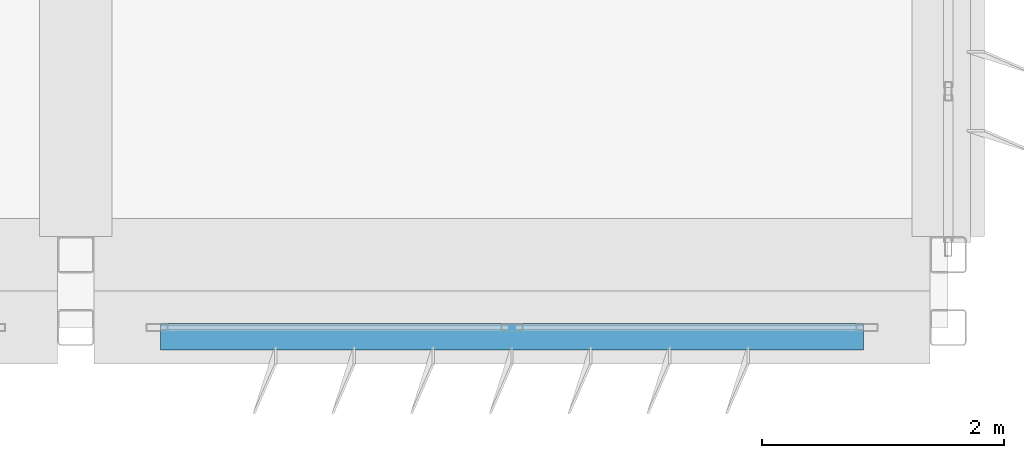
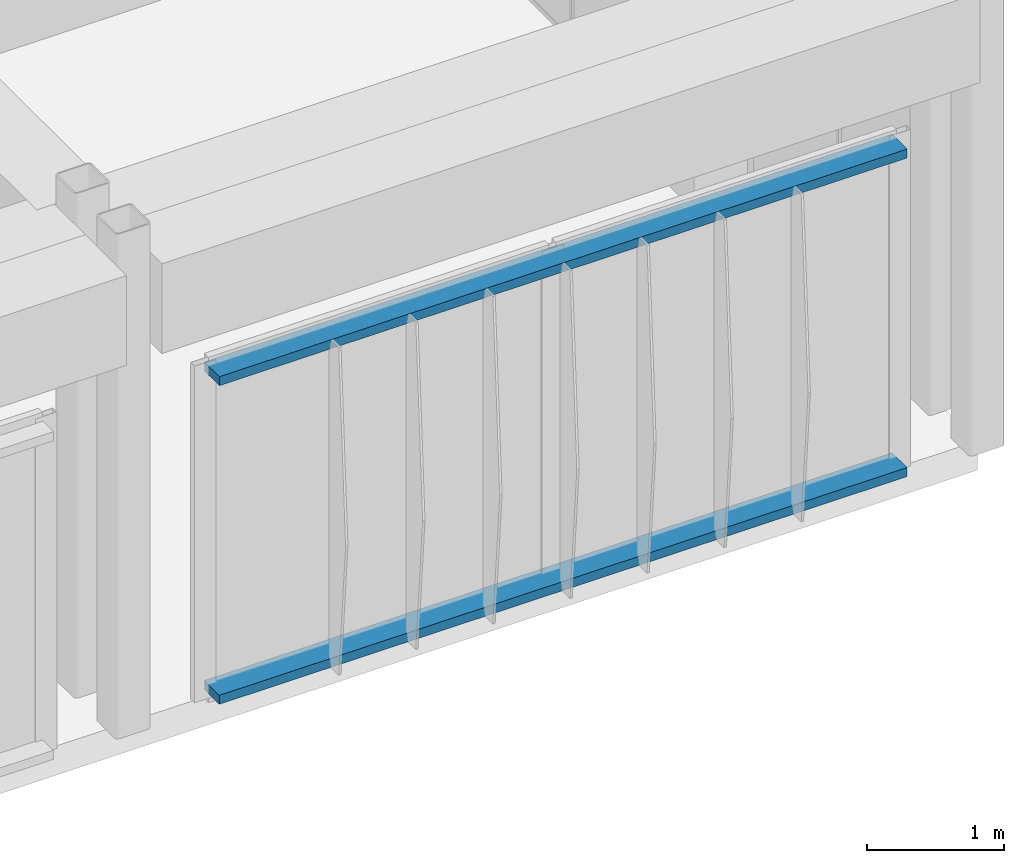
# One storey, part 43 of 56: 2 discrete accessories.
"""IFC4 building model written with IfcOpenShell, lengths in metres."""

import ifcopenshell
import ifcopenshell.guid

model = None  # the IFC model being written
_history = None  # IfcOwnerHistory: only IFC2X3 demands one
_inside = {}  # id of a spatial element -> (the spatial element, [elements in it])
_under = {}  # id of a project, library or spatial element -> (it, [spatial elements below it])
_declared = {}  # id of a project -> (the project, [libraries it declares])
_typed = {}  # id of a type object -> (the type object, [elements of that type])
_made_of = {}  # id of a material, layer set ... -> (it, [elements and type objects made of it])


def new_model(schema):
    """Start an empty IFC model of exactly this schema.

    Asked for "IFC4X3", IfcOpenShell would pick the latest addendum, in which some entities
    have other attributes; the version numbers below select the first issue.
    IFC2X3 requires an IfcOwnerHistory on every rooted entity: one is made here for all.
    """
    global model, _history
    if schema == "IFC4X3":
        model = ifcopenshell.file(schema_version=(4, 3, 0, 0))
    else:
        model = ifcopenshell.file(schema=schema)
    _inside.clear()
    _under.clear()
    _declared.clear()
    _typed.clear()
    _made_of.clear()
    _history = None
    if model.schema == "IFC2X3":
        org = make("IfcOrganization", Name="unknown")
        user = make(
            "IfcPersonAndOrganization",
            ThePerson=make("IfcPerson", FamilyName="unknown"),
            TheOrganization=org,
        )
        app = make(
            "IfcApplication",
            ApplicationDeveloper=org,
            Version="unknown",
            ApplicationFullName="unknown",
            ApplicationIdentifier="unknown",
        )
        _history = make(
            "IfcOwnerHistory",
            OwningUser=user,
            OwningApplication=app,
            ChangeAction="ADDED",
            CreationDate=0,
        )
    return model


def make(cls, **values):
    """One entity of the class cls with the attributes given. An attribute that is None is left unset."""
    return model.create_entity(
        cls, **{name: value for name, value in values.items() if value is not None}
    )


def rooted(cls, **values):
    """An entity with a GlobalId (a new one), such as an element, a storey or a relation."""
    return make(cls, GlobalId=ifcopenshell.guid.new(), OwnerHistory=_history, **values)


def si_unit(unit_type, name, prefix=None):
    """IfcSIUnit, for example si_unit("LENGTHUNIT", "METRE", prefix="MILLI")."""
    return make("IfcSIUnit", UnitType=unit_type, Prefix=prefix, Name=name)


def assignment(units):
    """IfcUnitAssignment: the units of a project."""
    return None if units is None else make("IfcUnitAssignment", Units=units)


def point(xyz):
    """IfcCartesianPoint."""
    return None if xyz is None else make("IfcCartesianPoint", Coordinates=xyz)


def direction(xyz):
    """IfcDirection."""
    return None if xyz is None else make("IfcDirection", DirectionRatios=xyz)


def frame(location, z_axis=None, x_axis=None):
    """IfcAxis2Placement3D, a coordinate frame: its origin and axes. An axis left out is left unset."""
    return make(
        "IfcAxis2Placement3D",
        Location=point(location),
        Axis=direction(z_axis),
        RefDirection=direction(x_axis),
    )


def frame_2d(location, x_axis=None):
    """IfcAxis2Placement2D, a coordinate frame in the plane: its origin and x axis."""
    return make(
        "IfcAxis2Placement2D", Location=point(location), RefDirection=direction(x_axis)
    )


def origin():
    """The frame at (0, 0, 0) with its axes left unset."""
    return frame((0.0, 0.0, 0.0))


def origin_2d():
    """The frame at (0, 0) in the plane with its x axis left unset."""
    return frame_2d((0.0, 0.0))


def place(relative_to, where):
    """IfcLocalPlacement: puts the frame where relative to a parent placement (None: the world)."""
    return make(
        "IfcLocalPlacement", PlacementRelTo=relative_to, RelativePlacement=where
    )


def context(
    kind, dimensions, precision=None, world=None, true_north=None, identifier=None
):
    """IfcGeometricRepresentationContext, for example the 3D "Model" context."""
    return make(
        "IfcGeometricRepresentationContext",
        ContextIdentifier=identifier,
        ContextType=kind,
        CoordinateSpaceDimension=dimensions,
        Precision=precision,
        WorldCoordinateSystem=world,
        TrueNorth=true_north,
    )


def subcontext(parent, identifier, kind, view, scale=None):
    """IfcGeometricRepresentationSubContext, for example "Body" below "Model"."""
    return make(
        "IfcGeometricRepresentationSubContext",
        ContextIdentifier=identifier,
        ContextType=kind,
        ParentContext=parent,
        TargetScale=scale,
        TargetView=view,
    )


def project(units=None, contexts=None):
    """IfcProject with its units and contexts."""
    return rooted(
        "IfcProject",
        Name="project",
        RepresentationContexts=contexts,
        UnitsInContext=assignment(units),
    )


def spatial(cls, under=None, at=None, **own):
    """A site, building, storey or space (cls), placed at a placement, below another one or the project."""
    s = rooted(cls, ObjectPlacement=at, **own)
    if under is not None:
        _under.setdefault(under.id(), (under, []))[1].append(s)
    return s


def profile(cls, at=None, kind="AREA", **sizes):
    """A parametric profile (cls). Its sizes go by their IFC names, for example OverallWidth=200.0."""
    return make(cls, ProfileType=kind, Position=at, **sizes)


def rectangle(**sizes):
    """IfcRectangleProfileDef."""
    return profile("IfcRectangleProfileDef", **sizes)


def extrude(swept, where, along, depth):
    """IfcExtrudedAreaSolid: the profile swept, set in the frame where, extruded along a direction by depth."""
    return make(
        "IfcExtrudedAreaSolid",
        SweptArea=swept,
        Position=where,
        ExtrudedDirection=direction(along),
        Depth=depth,
    )


def shape(context_of_items, identifier, shape_type, items):
    """IfcShapeRepresentation: the items that make up one representation, for example the "Body"."""
    return make(
        "IfcShapeRepresentation",
        ContextOfItems=context_of_items,
        RepresentationIdentifier=identifier,
        RepresentationType=shape_type,
        Items=items,
    )


def material(Name=None, Category=None):
    """IfcMaterial."""
    return make("IfcMaterial", Name=Name, Category=Category)


def made_of(thing, what):
    """Note that an element or type object is made of a material, layer set ...; save() writes the relation."""
    if what is not None:
        _made_of.setdefault(what.id(), (what, []))[1].append(thing)
    return thing


def type_object(cls, material=None, **own):
    """A type object (cls), such as IfcWallType, which elements share."""
    return made_of(rooted(cls, **own), material)


def element(
    cls,
    number,
    at=None,
    inside=None,
    cuts=None,
    type_object=None,
    material=None,
    context=None,
    identifier="Body",
    shape_type=None,
    held_by="IfcProductDefinitionShape",
    body=None,
    shapes=None,
    **own,
):
    """One element of the class cls, such as IfcWall. Its Tag is "e" and its number.

    at: its placement. inside: the storey or other place that contains it. cuts: it is an
    opening in that element (IfcRelVoidsElement). A single representation is given by context,
    identifier, shape_type and body (its items); several are given by shapes. held_by: the class
    of the entity that holds the representations. save() writes the other relations.
    """
    e = rooted(cls, Tag="e%d" % number, ObjectPlacement=at, **own)
    if body is not None:
        shapes = [shape(context, identifier, shape_type, body)]
    if shapes is not None:
        e.Representation = make(held_by, Representations=shapes)
    if inside is not None:
        _inside.setdefault(inside.id(), (inside, []))[1].append(e)
    if cuts is not None:
        rooted(
            "IfcRelVoidsElement", RelatingBuildingElement=cuts, RelatedOpeningElement=e
        )
    if type_object is not None:
        _typed.setdefault(type_object.id(), (type_object, []))[1].append(e)
    return made_of(e, material)


def aggregate(whole, parts):
    """IfcRelAggregates: a whole, such as a stair, and the parts it consists of."""
    return rooted("IfcRelAggregates", RelatingObject=whole, RelatedObjects=parts)


def save(model, path):
    """Write the relations noted so far, then the file.

    IfcRelAggregates (storeys below a building ...), IfcRelContainedInSpatialStructure (elements
    in a storey), IfcRelDefinesByType, IfcRelAssociatesMaterial and IfcRelDeclares: one each for
    every whole, place, type object, material and project.
    """
    for whole, parts in _under.values():
        aggregate(whole, parts)
    for where, things in _inside.values():
        rooted(
            "IfcRelContainedInSpatialStructure",
            RelatedElements=things,
            RelatingStructure=where,
        )
    for kind, things in _typed.values():
        rooted("IfcRelDefinesByType", RelatedObjects=things, RelatingType=kind)
    for what, things in _made_of.values():
        rooted("IfcRelAssociatesMaterial", RelatedObjects=things, RelatingMaterial=what)
    for by, libraries in _declared.values():
        rooted("IfcRelDeclares", RelatingContext=by, RelatedDefinitions=libraries)
    model.write(path)


model = new_model("IFC4")

# Units and contexts
model_context = context("Model", 3, precision=1e-05, world=origin(), true_north=direction((0.0, 1.0)))
body_context = subcontext(model_context, "Body", "Model", "MODEL_VIEW")
ifc_project = project(units=[si_unit("LENGTHUNIT", "METRE"), si_unit("AREAUNIT", "SQUARE_METRE"), si_unit("VOLUMEUNIT", "CUBIC_METRE"), si_unit("PLANEANGLEUNIT", "RADIAN"), si_unit("MASSUNIT", "GRAM", prefix="KILO")], contexts=[model_context])

# Site, building, storey
site_placement = place(None, origin())
site = spatial("IfcSite", under=ifc_project, at=site_placement, CompositionType="ELEMENT")
building_placement = place(site_placement, origin())
building = spatial("IfcBuilding", under=site, at=building_placement, Name="Kazehaya Institute of Natural Sciences", CompositionType="ELEMENT")
storey_placement = place(building_placement, frame((0.0, 0.0, 28.800048828125)))
storey = spatial("IfcBuildingStorey", under=building, at=storey_placement, Name="L06", CompositionType="ELEMENT", Elevation=28.800048828125)

# Discrete accessories
ifc_material = material(Name="Aluminium alloy A6063S-T5", Category="aluminium")
discrete_accessory_type = type_object("IfcDiscreteAccessoryType", Name="ACC-BRK-01", PredefinedType="BRACKET", material=ifc_material)
for number, where, z_axis, x_axis, name in (
    (1, (115.800048828125, 6.125, 0.039794921875), (0.0, 0.0, 1.0), (-1.0, 0.0, 0.0), "L06 fin support outrigger rail 1"),
    (2, (115.800048828125, 6.125, 2.8798828125), (0.0, 0.0, 1.0), (-1.0, 0.0, 0.0), "L06 fin support outrigger rail 2"),
):
    element("IfcDiscreteAccessory", number, at=place(storey_placement, frame(where, z_axis=z_axis, x_axis=x_axis)), inside=storey, type_object=discrete_accessory_type, Name=name, PredefinedType="BRACKET", context=body_context, shape_type="SweptSolid", body=[
        extrude(rectangle(XDim=5.800048828125, YDim=0.219970703125, at=origin_2d()), origin(), (0.0, 0.0, 1.0), 0.080078125),
    ])

save(model, "model.ifc")
